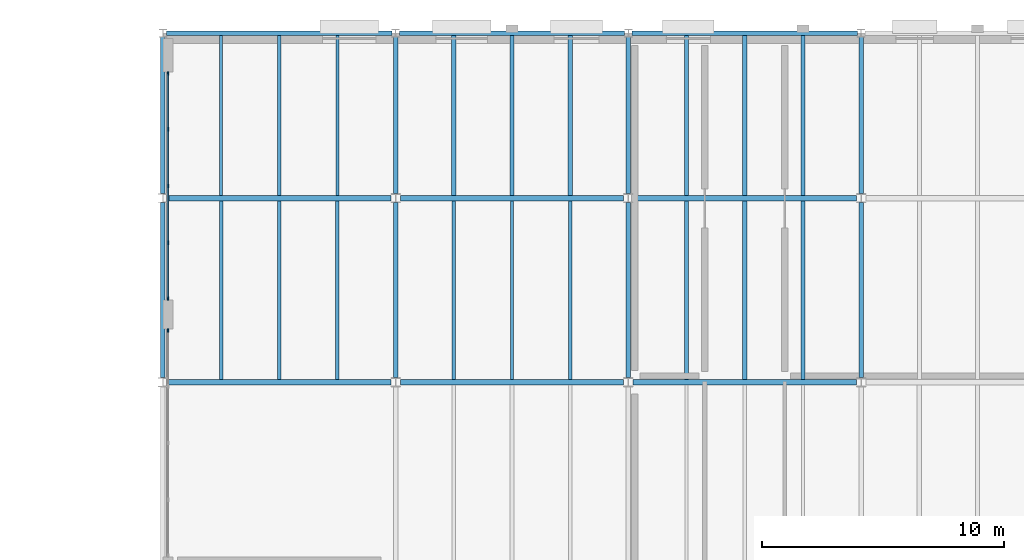
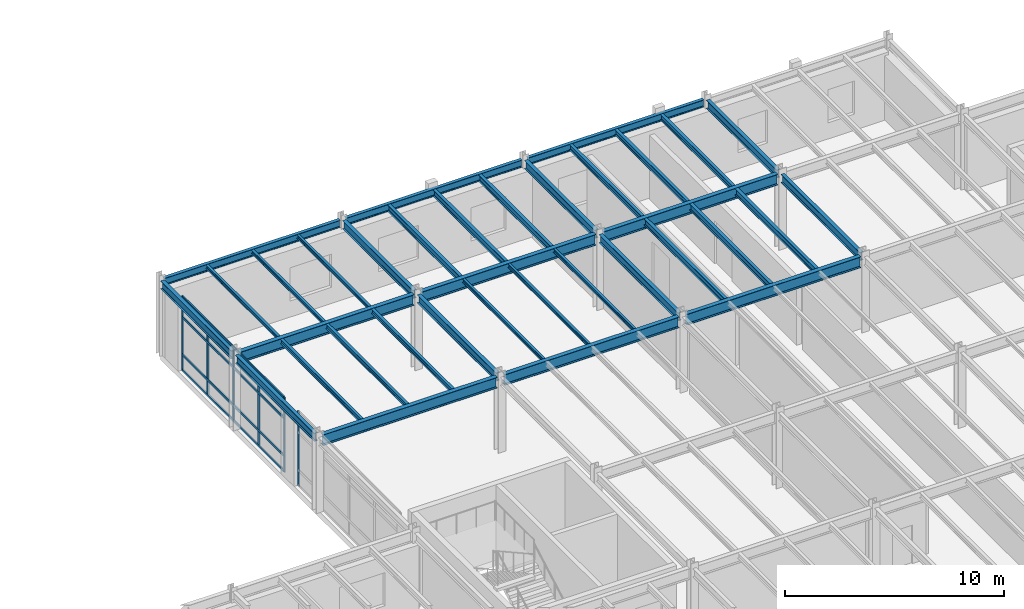
# One storey, part 39 of 88: 35 beams, 10 members, 2 elements without a shape of their own.
"""IFC4 building model written with IfcOpenShell, lengths in metres."""

from ifc_helpers import new_model, si_unit, direction, frame, origin, origin_2d, place, context, subcontext, project, spatial, rectangle, i_section, extrude, material, material_profile, profile_set, type_object, element, aggregate, save


model = new_model("IFC4")

# Units and contexts
model_context = context("Model", 3, precision=1e-05, world=origin(), true_north=direction((0.0, 1.0)))
body_context = subcontext(model_context, "Body", "Model", "MODEL_VIEW")
ifc_project = project(units=[si_unit("LENGTHUNIT", "METRE"), si_unit("AREAUNIT", "SQUARE_METRE"), si_unit("VOLUMEUNIT", "CUBIC_METRE"), si_unit("PLANEANGLEUNIT", "RADIAN"), si_unit("MASSUNIT", "GRAM", prefix="KILO")], contexts=[model_context])

# Site, building, storey
site_placement = place(None, origin())
site = spatial("IfcSite", under=ifc_project, at=site_placement, CompositionType="ELEMENT")
building_placement = place(site_placement, origin())
building = spatial("IfcBuilding", under=site, at=building_placement, Name="Sarnbrook Museum", CompositionType="ELEMENT")
storey_placement = place(building_placement, frame((0.0, 0.0, 10.10009765625)))
storey = spatial("IfcBuildingStorey", under=building, at=storey_placement, Name="L02", CompositionType="ELEMENT", Elevation=10.10009765625)

# Beams
ifc_material_1 = material(Name="Structural Steel Grade 300PLUS (AS/NZS 3679.1, fy = 280 MPa for 17 < t <= 40 mm, 300 MPa for t <= 17 mm)", Category="steel")
ifc_material_profile_1 = material_profile(ifc_material_1, i_section(OverallWidth=0.18994140625, OverallDepth=0.45703125, WebThickness=0.009033203125, FlangeThickness=0.014404296875, FilletRadius=0.011474609375, at=origin_2d()), Name="460UB74.6")
ifc_profile_set_1 = profile_set([ifc_material_profile_1], Name="Structural Steel Grade 300PLUS (AS/NZS 3679.1, fy = 280 MPa for 17 < t <= 40 mm, 300 MPa for t <= 17 mm)")
beam_type_1 = type_object("IfcBeamType", Name="BM-UB460", PredefinedType="BEAM", material=ifc_profile_set_1)
beam_1_placement = place(storey_placement, frame((42.39990234375, 100.990966796875, 3.9814453125), z_axis=(0.0, 1.0, 0.0), x_axis=(-1.0, 0.0, 0.0)))
element("IfcBeam", 1, at=beam_1_placement, inside=storey, type_object=beam_type_1, Name="Girder 5:M-N L02", PredefinedType="BEAM", context=body_context, shape_type="SweptSolid", body=[
    extrude(i_section(OverallWidth=0.18994140625, OverallDepth=0.45703125, WebThickness=0.009033203125, FlangeThickness=0.014404296875, FilletRadius=0.011474609375, at=origin_2d()), origin(), (0.0, 0.0, 1.0), 7.218017578125),
])
beam_2_placement = place(storey_placement, frame((42.39990234375, 108.591064453125, 3.9814453125), z_axis=(0.0, 1.0, 0.0), x_axis=(-1.0, 0.0, 0.0)))
element("IfcBeam", 2, at=beam_2_placement, inside=storey, type_object=beam_type_1, Name="Girder 5:N-P L02", PredefinedType="BEAM", context=body_context, shape_type="SweptSolid", body=[
    extrude(i_section(OverallWidth=0.18994140625, OverallDepth=0.45703125, WebThickness=0.009033203125, FlangeThickness=0.014404296875, FilletRadius=0.011474609375, at=origin_2d()), origin(), (0.0, 0.0, 1.0), 6.445556640625),
])
beam_3_placement = place(storey_placement, frame((52.0, 100.990966796875, 3.9814453125), z_axis=(0.0, 1.0, 0.0), x_axis=(-1.0, 0.0, 0.0)))
element("IfcBeam", 3, at=beam_3_placement, inside=storey, type_object=beam_type_1, Name="Girder 6:M-N L02", PredefinedType="BEAM", context=body_context, shape_type="SweptSolid", body=[
    extrude(i_section(OverallWidth=0.18994140625, OverallDepth=0.45703125, WebThickness=0.009033203125, FlangeThickness=0.014404296875, FilletRadius=0.011474609375, at=origin_2d()), origin(), (0.0, 0.0, 1.0), 7.218017578125),
])
beam_4_placement = place(storey_placement, frame((52.0, 108.591064453125, 3.9814453125), z_axis=(0.0, 1.0, 0.0), x_axis=(-1.0, 0.0, 0.0)))
element("IfcBeam", 4, at=beam_4_placement, inside=storey, type_object=beam_type_1, Name="Girder 6:N-P L02", PredefinedType="BEAM", context=body_context, shape_type="SweptSolid", body=[
    extrude(i_section(OverallWidth=0.18994140625, OverallDepth=0.45703125, WebThickness=0.009033203125, FlangeThickness=0.014404296875, FilletRadius=0.011474609375, at=origin_2d()), origin(), (0.0, 0.0, 1.0), 6.445556640625),
])
beam_5_placement = place(storey_placement, frame((61.60009765625, 100.990966796875, 3.9814453125), z_axis=(0.0, 1.0, 0.0), x_axis=(-1.0, 0.0, 0.0)))
element("IfcBeam", 5, at=beam_5_placement, inside=storey, type_object=beam_type_1, Name="Girder 7:M-N L02", PredefinedType="BEAM", context=body_context, shape_type="SweptSolid", body=[
    extrude(i_section(OverallWidth=0.18994140625, OverallDepth=0.45703125, WebThickness=0.009033203125, FlangeThickness=0.014404296875, FilletRadius=0.011474609375, at=origin_2d()), origin(), (0.0, 0.0, 1.0), 7.218017578125),
])
beam_6_placement = place(storey_placement, frame((61.60009765625, 108.591064453125, 3.9814453125), z_axis=(0.0, 1.0, 0.0), x_axis=(-1.0, 0.0, 0.0)))
element("IfcBeam", 6, at=beam_6_placement, inside=storey, type_object=beam_type_1, Name="Girder 7:N-P L02", PredefinedType="BEAM", context=body_context, shape_type="SweptSolid", body=[
    extrude(i_section(OverallWidth=0.18994140625, OverallDepth=0.45703125, WebThickness=0.009033203125, FlangeThickness=0.014404296875, FilletRadius=0.011474609375, at=origin_2d()), origin(), (0.0, 0.0, 1.0), 6.445556640625),
])
beam_7_placement = place(storey_placement, frame((71.199951171875, 100.990966796875, 3.9814453125), z_axis=(0.0, 1.0, 0.0), x_axis=(-1.0, 0.0, 0.0)))
element("IfcBeam", 7, at=beam_7_placement, inside=storey, type_object=beam_type_1, Name="Girder 8:M-N L02", PredefinedType="BEAM", context=body_context, shape_type="SweptSolid", body=[
    extrude(i_section(OverallWidth=0.18994140625, OverallDepth=0.45703125, WebThickness=0.009033203125, FlangeThickness=0.014404296875, FilletRadius=0.011474609375, at=origin_2d()), origin(), (0.0, 0.0, 1.0), 7.218017578125),
])
beam_8_placement = place(storey_placement, frame((71.199951171875, 108.591064453125, 3.9814453125), z_axis=(0.0, 1.0, 0.0), x_axis=(-1.0, 0.0, 0.0)))
element("IfcBeam", 8, at=beam_8_placement, inside=storey, type_object=beam_type_1, Name="Girder 8:N-P L02", PredefinedType="BEAM", context=body_context, shape_type="SweptSolid", body=[
    extrude(i_section(OverallWidth=0.18994140625, OverallDepth=0.45703125, WebThickness=0.009033203125, FlangeThickness=0.014404296875, FilletRadius=0.011474609375, at=origin_2d()), origin(), (0.0, 0.0, 1.0), 6.445556640625),
])
ifc_material_profile_2 = material_profile(ifc_material_1, i_section(OverallWidth=0.22802734375, OverallDepth=0.60693359375, WebThickness=0.01123046875, FlangeThickness=0.017333984375, FilletRadius=0.013916015625, at=origin_2d()), Name="610UB113")
ifc_profile_set_2 = profile_set([ifc_material_profile_2], Name="Structural Steel Grade 300PLUS (AS/NZS 3679.1, fy = 280 MPa for 17 < t <= 40 mm, 300 MPa for t <= 17 mm)")
beam_type_2 = type_object("IfcBeamType", Name="BM-UB610", PredefinedType="BEAM", material=ifc_profile_set_2)
for number, where, z_axis, x_axis, name in (
    (9, (42.60009765625, 100.800048828125, 3.906494140625), (1.0, 0.0, 0.0), (0.0, 1.0, 0.0), "Girder M:5-6 L02"),
    (10, (52.199951171875, 100.800048828125, 3.906494140625), (1.0, 0.0, 0.0), (0.0, 1.0, 0.0), "Girder M:6-7 L02"),
    (11, (61.800048828125, 100.800048828125, 3.906494140625), (1.0, 0.0, 0.0), (0.0, 1.0, 0.0), "Girder M:7-8 L02"),
    (12, (42.60009765625, 108.39990234375, 3.906494140625), (1.0, 0.0, 0.0), (0.0, 1.0, 0.0), "Girder N:5-6 L02"),
    (13, (52.199951171875, 108.39990234375, 3.906494140625), (1.0, 0.0, 0.0), (0.0, 1.0, 0.0), "Girder N:6-7 L02"),
    (14, (61.800048828125, 108.39990234375, 3.906494140625), (1.0, 0.0, 0.0), (0.0, 1.0, 0.0), "Girder N:7-8 L02"),
):
    element("IfcBeam", number, at=place(storey_placement, frame(where, z_axis=z_axis, x_axis=x_axis)), inside=storey, type_object=beam_type_2, Name=name, PredefinedType="BEAM", context=body_context, shape_type="SweptSolid", body=[
        extrude(i_section(OverallWidth=0.22802734375, OverallDepth=0.60693359375, WebThickness=0.01123046875, FlangeThickness=0.017333984375, FilletRadius=0.013916015625, at=origin_2d()), origin(), (0.0, 0.0, 1.0), 9.199951171875),
    ])

# Curtain wall, members
ifc_material_2 = material(Name="Thermally Broken Anodised Aluminium 6063-T6", Category="aluminium")
curtain_wall_type = type_object("IfcCurtainWallType", Name="CurtainWall_GalleryRibbon", PredefinedType="NOTDEFINED", material=ifc_material_2)
curtain_wall_1_placement = place(storey_placement, origin())
curtain_wall_1 = element("IfcCurtainWall", 15, at=curtain_wall_1_placement, inside=storey, type_object=curtain_wall_type, Name="Gallery Ribbon Curtain Wall L02-6.1", PredefinedType="NOTDEFINED")
ifc_material_profile_3 = material_profile(ifc_material_2, rectangle(XDim=0.06005859375, YDim=0.159912109375, at=origin_2d()), Name="ALU MULLION 60x160")
ifc_profile_set_3 = profile_set([ifc_material_profile_3], Name="Thermally Broken Anodised Aluminium 6063-T6")
member_type_1 = type_object("IfcMemberType", Name="CW_Mullion_150x65", PredefinedType="MULLION", material=ifc_profile_set_3)
member_1_placement = place(storey_placement, frame((42.610107421875, 113.5400390625, 0.0), z_axis=(0.0, 0.0, 1.0), x_axis=(1.0, 0.0, 0.0)))
member_1 = element("IfcMember", 16, at=member_1_placement, type_object=member_type_1, Name="Gallery Ribbon Curtain Wall L02-6.1 Mullion 1", PredefinedType="MULLION", context=body_context, shape_type="SweptSolid", body=[
    extrude(rectangle(XDim=0.06005859375, YDim=0.159912109375, at=origin_2d()), origin(), (0.0, 0.0, 1.0), 4.159912109375),
])
member_2_placement = place(storey_placement, frame((42.610107421875, 111.239990234375, 0.0), z_axis=(0.0, 0.0, 1.0), x_axis=(1.0, 0.0, 0.0)))
member_2 = element("IfcMember", 17, at=member_2_placement, type_object=member_type_1, Name="Gallery Ribbon Curtain Wall L02-6.1 Mullion 2", PredefinedType="MULLION", context=body_context, shape_type="SweptSolid", body=[
    extrude(rectangle(XDim=0.06005859375, YDim=0.159912109375, at=origin_2d()), origin(), (0.0, 0.0, 1.0), 4.159912109375),
])
member_3_placement = place(storey_placement, frame((42.610107421875, 108.89990234375, 0.0), z_axis=(0.0, 0.0, 1.0), x_axis=(1.0, 0.0, 0.0)))
member_3 = element("IfcMember", 18, at=member_3_placement, type_object=member_type_1, Name="Gallery Ribbon Curtain Wall L02-6.1 Mullion 3", PredefinedType="MULLION", context=body_context, shape_type="SweptSolid", body=[
    extrude(rectangle(XDim=0.06005859375, YDim=0.159912109375, at=origin_2d()), origin(), (0.0, 0.0, 1.0), 4.159912109375),
])
member_4_placement = place(storey_placement, frame((42.610107421875, 106.56005859375, 0.0), z_axis=(0.0, 0.0, 1.0), x_axis=(1.0, 0.0, 0.0)))
member_4 = element("IfcMember", 19, at=member_4_placement, type_object=member_type_1, Name="Gallery Ribbon Curtain Wall L02-6.1 Mullion 4", PredefinedType="MULLION", context=body_context, shape_type="SweptSolid", body=[
    extrude(rectangle(XDim=0.06005859375, YDim=0.159912109375, at=origin_2d()), origin(), (0.0, 0.0, 1.0), 4.159912109375),
])
member_5_placement = place(storey_placement, frame((42.610107421875, 104.260009765625, 0.0), z_axis=(0.0, 0.0, 1.0), x_axis=(1.0, 0.0, 0.0)))
member_5 = element("IfcMember", 20, at=member_5_placement, type_object=member_type_1, Name="Gallery Ribbon Curtain Wall L02-6.1 Mullion 5", PredefinedType="MULLION", context=body_context, shape_type="SweptSolid", body=[
    extrude(rectangle(XDim=0.06005859375, YDim=0.159912109375, at=origin_2d()), origin(), (0.0, 0.0, 1.0), 4.159912109375),
])

# Curtain wall, member
curtain_wall_2_placement = place(storey_placement, origin())
curtain_wall_2 = element("IfcCurtainWall", 21, at=curtain_wall_2_placement, inside=storey, type_object=curtain_wall_type, Name="Gallery Ribbon Curtain Wall L02-6.2", PredefinedType="NOTDEFINED")
member_6_placement = place(storey_placement, frame((42.610107421875, 102.93994140625, 0.0), z_axis=(0.0, 0.0, 1.0), x_axis=(1.0, 0.0, 0.0)))
member_6 = element("IfcMember", 22, at=member_6_placement, type_object=member_type_1, Name="Gallery Ribbon Curtain Wall L02-6.2 Mullion 1", PredefinedType="MULLION", context=body_context, shape_type="SweptSolid", body=[
    extrude(rectangle(XDim=0.06005859375, YDim=0.159912109375, at=origin_2d()), origin(), (0.0, 0.0, 1.0), 4.159912109375),
])
aggregate(curtain_wall_2, [member_6])

# Member
ifc_material_profile_4 = material_profile(ifc_material_2, rectangle(XDim=0.06494140625, YDim=0.139892578125, at=origin_2d()), Name="ALU TRANSOM 65x140")
ifc_profile_set_4 = profile_set([ifc_material_profile_4], Name="Thermally Broken Anodised Aluminium 6063-T6")
member_type_2 = type_object("IfcMemberType", Name="CW_Transom_150x65", PredefinedType="USERDEFINED", material=ifc_profile_set_4)
member_7_placement = place(storey_placement, frame((42.610107421875, 113.530029296875, 0.039794921875), z_axis=(0.0, -1.0, 0.0), x_axis=(1.0, 0.0, 0.0)))
member_7 = element("IfcMember", 23, at=member_7_placement, type_object=member_type_2, Name="Gallery Ribbon Curtain Wall L02-6.1 Transom 1", ObjectType="TRANSOM", PredefinedType="USERDEFINED", context=body_context, shape_type="SweptSolid", body=[
    extrude(rectangle(XDim=0.06494140625, YDim=0.139892578125, at=origin_2d()), origin(), (0.0, 0.0, 1.0), 9.260009765625),
])

member_8_placement = place(storey_placement, frame((42.610107421875, 113.530029296875, 0.89990234375), z_axis=(0.0, -1.0, 0.0), x_axis=(1.0, 0.0, 0.0)))
member_8 = element("IfcMember", 24, at=member_8_placement, type_object=member_type_2, Name="Gallery Ribbon Curtain Wall L02-6.1 Transom 2", ObjectType="TRANSOM", PredefinedType="USERDEFINED", context=body_context, shape_type="SweptSolid", body=[
    extrude(rectangle(XDim=0.06494140625, YDim=0.139892578125, at=origin_2d()), origin(), (0.0, 0.0, 1.0), 9.260009765625),
])

member_9_placement = place(storey_placement, frame((42.610107421875, 113.530029296875, 3.0), z_axis=(0.0, -1.0, 0.0), x_axis=(1.0, 0.0, 0.0)))
member_9 = element("IfcMember", 25, at=member_9_placement, type_object=member_type_2, Name="Gallery Ribbon Curtain Wall L02-6.1 Transom 3", ObjectType="TRANSOM", PredefinedType="USERDEFINED", context=body_context, shape_type="SweptSolid", body=[
    extrude(rectangle(XDim=0.06494140625, YDim=0.139892578125, at=origin_2d()), origin(), (0.0, 0.0, 1.0), 9.260009765625),
])

member_10_placement = place(storey_placement, frame((42.610107421875, 113.530029296875, 4.119873046875), z_axis=(0.0, -1.0, 0.0), x_axis=(1.0, 0.0, 0.0)))
member_10 = element("IfcMember", 26, at=member_10_placement, type_object=member_type_2, Name="Gallery Ribbon Curtain Wall L02-6.1 Transom 4", ObjectType="TRANSOM", PredefinedType="USERDEFINED", context=body_context, shape_type="SweptSolid", body=[
    extrude(rectangle(XDim=0.06494140625, YDim=0.139892578125, at=origin_2d()), origin(), (0.0, 0.0, 1.0), 9.260009765625),
])

aggregate(curtain_wall_1, [member_1, member_2, member_3, member_4, member_5, member_7, member_8, member_9, member_10])

# Beams
ifc_material_profile_5 = material_profile(ifc_material_1, i_section(OverallWidth=0.134033203125, OverallDepth=0.20703125, WebThickness=0.00634765625, FlangeThickness=0.009521484375, FilletRadius=0.0087890625, at=origin_2d()), Name="200UB29.8")
ifc_profile_set_5 = profile_set([ifc_material_profile_5], Name="Structural Steel Grade 300PLUS (AS/NZS 3679.1, fy = 280 MPa for 17 < t <= 40 mm, 300 MPa for t <= 17 mm)")
beam_type_3 = type_object("IfcBeamType", Name="JS-UB200", PredefinedType="JOIST", material=ifc_profile_set_5)
for number, where, z_axis, x_axis, name in (
    (27, (44.800048828125, 108.513916015625, 4.1064453125), (0.0, 1.0, 0.0), (-1.0, 0.0, 0.0), "Composite Floor Joist 5N-1 L02"),
    (28, (47.199951171875, 108.513916015625, 4.1064453125), (0.0, 1.0, 0.0), (-1.0, 0.0, 0.0), "Composite Floor Joist 5N-2 L02"),
    (29, (49.60009765625, 108.513916015625, 4.1064453125), (0.0, 1.0, 0.0), (-1.0, 0.0, 0.0), "Composite Floor Joist 5N-3 L02"),
):
    element("IfcBeam", number, at=place(storey_placement, frame(where, z_axis=z_axis, x_axis=x_axis)), inside=storey, type_object=beam_type_3, Name=name, PredefinedType="JOIST", context=body_context, shape_type="SweptSolid", body=[
        extrude(i_section(OverallWidth=0.134033203125, OverallDepth=0.20703125, WebThickness=0.00634765625, FlangeThickness=0.009521484375, FilletRadius=0.0087890625, at=origin_2d()), origin(), (0.0, 0.0, 1.0), 6.59716796875),
    ])
for number, where, z_axis, x_axis, name in (
    (30, (54.39990234375, 100.9140625, 4.1064453125), (0.0, 1.0, 0.0), (-1.0, 0.0, 0.0), "Composite Floor Joist 6M-1 L02"),
    (31, (56.800048828125, 100.9140625, 4.1064453125), (0.0, 1.0, 0.0), (-1.0, 0.0, 0.0), "Composite Floor Joist 6M-2 L02"),
    (32, (59.199951171875, 100.9140625, 4.1064453125), (0.0, 1.0, 0.0), (-1.0, 0.0, 0.0), "Composite Floor Joist 6M-3 L02"),
):
    element("IfcBeam", number, at=place(storey_placement, frame(where, z_axis=z_axis, x_axis=x_axis)), inside=storey, type_object=beam_type_3, Name=name, PredefinedType="JOIST", context=body_context, shape_type="SweptSolid", body=[
        extrude(i_section(OverallWidth=0.134033203125, OverallDepth=0.20703125, WebThickness=0.00634765625, FlangeThickness=0.009521484375, FilletRadius=0.0087890625, at=origin_2d()), origin(), (0.0, 0.0, 1.0), 7.371826171875),
    ])
ifc_material_profile_6 = material_profile(ifc_material_1, i_section(OverallWidth=0.14599609375, OverallDepth=0.256103515625, WebThickness=0.00634765625, FlangeThickness=0.010986328125, FilletRadius=0.0087890625, at=origin_2d()), Name="250UB37.3")
ifc_profile_set_6 = profile_set([ifc_material_profile_6], Name="Structural Steel Grade 300PLUS (AS/NZS 3679.1, fy = 280 MPa for 17 < t <= 40 mm, 300 MPa for t <= 17 mm)")
beam_type_4 = type_object("IfcBeamType", Name="JS-UB250", PredefinedType="JOIST", material=ifc_profile_set_6)
for number, where, z_axis, x_axis, name in (
    (33, (44.800048828125, 100.9140625, 4.081787109375), (0.0, 1.0, 0.0), (-1.0, 0.0, 0.0), "Composite Floor Joist 5M-1 L02"),
    (34, (47.199951171875, 100.9140625, 4.081787109375), (0.0, 1.0, 0.0), (-1.0, 0.0, 0.0), "Composite Floor Joist 5M-2 L02"),
    (35, (49.60009765625, 100.9140625, 4.081787109375), (0.0, 1.0, 0.0), (-1.0, 0.0, 0.0), "Composite Floor Joist 5M-3 L02"),
):
    element("IfcBeam", number, at=place(storey_placement, frame(where, z_axis=z_axis, x_axis=x_axis)), inside=storey, type_object=beam_type_4, Name=name, PredefinedType="JOIST", context=body_context, shape_type="SweptSolid", body=[
        extrude(i_section(OverallWidth=0.14599609375, OverallDepth=0.256103515625, WebThickness=0.00634765625, FlangeThickness=0.010986328125, FilletRadius=0.0087890625, at=origin_2d()), origin(), (0.0, 0.0, 1.0), 7.371826171875),
    ])
ifc_material_profile_7 = material_profile(ifc_material_1, i_section(OverallWidth=0.166015625, OverallDepth=0.306884765625, WebThickness=0.006591796875, FlangeThickness=0.01171875, FilletRadius=0.011474609375, at=origin_2d()), Name="310UB46.2")
ifc_profile_set_7 = profile_set([ifc_material_profile_7], Name="Structural Steel Grade 300PLUS (AS/NZS 3679.1, fy = 280 MPa for 17 < t <= 40 mm, 300 MPa for t <= 17 mm)")
beam_type_5 = type_object("IfcBeamType", Name="JS-UB310H", PredefinedType="JOIST", material=ifc_profile_set_7)
for number, where, z_axis, x_axis, name in (
    (36, (64.0, 108.513916015625, 4.056396484375), (0.0, 1.0, 0.0), (-1.0, 0.0, 0.0), "Composite Floor Joist 7N-1 L02"),
    (37, (66.39990234375, 108.513916015625, 4.056396484375), (0.0, 1.0, 0.0), (-1.0, 0.0, 0.0), "Composite Floor Joist 7N-2 L02"),
    (38, (68.800048828125, 108.513916015625, 4.056396484375), (0.0, 1.0, 0.0), (-1.0, 0.0, 0.0), "Composite Floor Joist 7N-3 L02"),
):
    element("IfcBeam", number, at=place(storey_placement, frame(where, z_axis=z_axis, x_axis=x_axis)), inside=storey, type_object=beam_type_5, Name=name, PredefinedType="JOIST", context=body_context, shape_type="SweptSolid", body=[
        extrude(i_section(OverallWidth=0.166015625, OverallDepth=0.306884765625, WebThickness=0.006591796875, FlangeThickness=0.01171875, FilletRadius=0.011474609375, at=origin_2d()), origin(), (0.0, 0.0, 1.0), 6.59716796875),
    ])
ifc_material_profile_8 = material_profile(ifc_material_1, i_section(OverallWidth=0.1708984375, OverallDepth=0.35595703125, WebThickness=0.00732421875, FlangeThickness=0.011474609375, FilletRadius=0.011474609375, at=origin_2d()), Name="360UB50.7")
ifc_profile_set_8 = profile_set([ifc_material_profile_8], Name="Structural Steel Grade 300PLUS (AS/NZS 3679.1, fy = 280 MPa for 17 < t <= 40 mm, 300 MPa for t <= 17 mm)")
beam_type_6 = type_object("IfcBeamType", Name="JS-UB360", PredefinedType="JOIST", material=ifc_profile_set_8)
for number, where, z_axis, x_axis, name in (
    (39, (54.39990234375, 108.513916015625, 4.031982421875), (0.0, 1.0, 0.0), (-1.0, 0.0, 0.0), "Composite Floor Joist 6N-1 L02"),
    (40, (56.800048828125, 108.513916015625, 4.031982421875), (0.0, 1.0, 0.0), (-1.0, 0.0, 0.0), "Composite Floor Joist 6N-2 L02"),
    (41, (59.199951171875, 108.513916015625, 4.031982421875), (0.0, 1.0, 0.0), (-1.0, 0.0, 0.0), "Composite Floor Joist 6N-3 L02"),
):
    element("IfcBeam", number, at=place(storey_placement, frame(where, z_axis=z_axis, x_axis=x_axis)), inside=storey, type_object=beam_type_6, Name=name, PredefinedType="JOIST", context=body_context, shape_type="SweptSolid", body=[
        extrude(i_section(OverallWidth=0.1708984375, OverallDepth=0.35595703125, WebThickness=0.00732421875, FlangeThickness=0.011474609375, FilletRadius=0.011474609375, at=origin_2d()), origin(), (0.0, 0.0, 1.0), 6.59716796875),
    ])
for number, where, z_axis, x_axis, name in (
    (42, (64.0, 100.9140625, 4.031982421875), (0.0, 1.0, 0.0), (-1.0, 0.0, 0.0), "Composite Floor Joist 7M-1 L02"),
    (43, (66.39990234375, 100.9140625, 4.031982421875), (0.0, 1.0, 0.0), (-1.0, 0.0, 0.0), "Composite Floor Joist 7M-2 L02"),
    (44, (68.800048828125, 100.9140625, 4.031982421875), (0.0, 1.0, 0.0), (-1.0, 0.0, 0.0), "Composite Floor Joist 7M-3 L02"),
):
    element("IfcBeam", number, at=place(storey_placement, frame(where, z_axis=z_axis, x_axis=x_axis)), inside=storey, type_object=beam_type_6, Name=name, PredefinedType="JOIST", context=body_context, shape_type="SweptSolid", body=[
        extrude(i_section(OverallWidth=0.1708984375, OverallDepth=0.35595703125, WebThickness=0.00732421875, FlangeThickness=0.011474609375, FilletRadius=0.011474609375, at=origin_2d()), origin(), (0.0, 0.0, 1.0), 7.371826171875),
    ])
ifc_material_profile_9 = material_profile(ifc_material_1, i_section(OverallWidth=0.177978515625, OverallDepth=0.406005859375, WebThickness=0.0078125, FlangeThickness=0.0126953125, FilletRadius=0.011474609375, at=origin_2d()), Name="410UB59.7")
ifc_profile_set_9 = profile_set([ifc_material_profile_9], Name="Structural Steel Grade 300PLUS (AS/NZS 3679.1, fy = 280 MPa for 17 < t <= 40 mm, 300 MPa for t <= 17 mm)")
beam_type_7 = type_object("IfcBeamType", Name="SP-UB410", PredefinedType="SPANDREL", material=ifc_profile_set_9)
for number, where, z_axis, x_axis, name in (
    (45, (42.555419921875, 115.199951171875, 4.0068359375), (1.0, 0.0, 0.0), (0.0, 1.0, 0.0), "Girder P:5-6 L02"),
    (46, (52.155517578125, 115.199951171875, 4.0068359375), (1.0, 0.0, 0.0), (0.0, 1.0, 0.0), "Girder P:6-7 L02"),
):
    element("IfcBeam", number, at=place(storey_placement, frame(where, z_axis=z_axis, x_axis=x_axis)), inside=storey, type_object=beam_type_7, Name=name, PredefinedType="SPANDREL", context=body_context, shape_type="SweptSolid", body=[
        extrude(i_section(OverallWidth=0.177978515625, OverallDepth=0.406005859375, WebThickness=0.0078125, FlangeThickness=0.0126953125, FilletRadius=0.011474609375, at=origin_2d()), origin(), (0.0, 0.0, 1.0), 9.2890625),
    ])
beam_9_placement = place(storey_placement, frame((61.755615234375, 115.199951171875, 4.0068359375), z_axis=(1.0, 0.0, 0.0), x_axis=(0.0, 1.0, 0.0)))
element("IfcBeam", 47, at=beam_9_placement, inside=storey, type_object=beam_type_7, Name="Girder P:7-8 L02", PredefinedType="SPANDREL", context=body_context, shape_type="SweptSolid", body=[
    extrude(i_section(OverallWidth=0.177978515625, OverallDepth=0.406005859375, WebThickness=0.0078125, FlangeThickness=0.0126953125, FilletRadius=0.011474609375, at=origin_2d()), origin(), (0.0, 0.0, 1.0), 9.288818359375),
])

save(model, "model.ifc")
